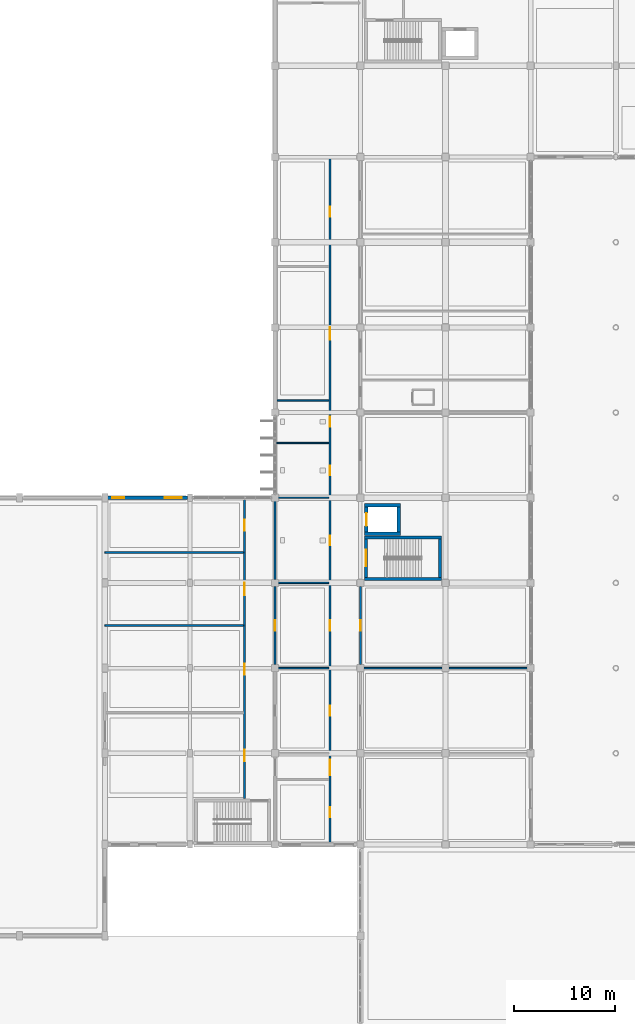
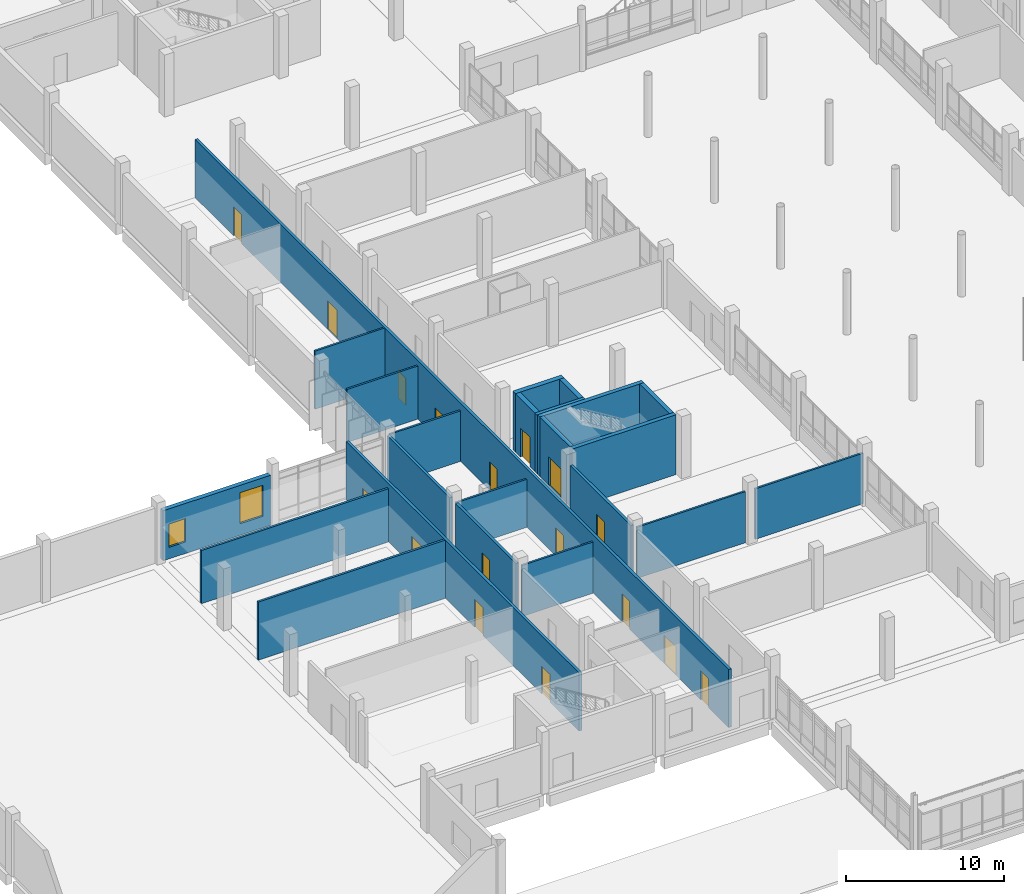
# One storey, part 75 of 95: 23 walls, 17 doors, 2 windows, 19 openings.
"""IFC4 building model written with IfcOpenShell, lengths in metres."""

from ifc_helpers import new_model, si_unit, direction, frame, frame_2d, origin, place, context, subcontext, project, spatial, rectangle, extrude, material, layer, layer_set, type_object, element, fill, save


model = new_model("IFC4")

# Units and contexts
model_context = context("Model", 3, precision=1e-05, world=origin(), true_north=direction((0.0, 1.0)))
body_context = subcontext(model_context, "Body", "Model", "MODEL_VIEW")
ifc_project = project(units=[si_unit("LENGTHUNIT", "METRE"), si_unit("AREAUNIT", "SQUARE_METRE"), si_unit("VOLUMEUNIT", "CUBIC_METRE"), si_unit("PLANEANGLEUNIT", "RADIAN"), si_unit("MASSUNIT", "GRAM", prefix="KILO")], contexts=[model_context])

# Site, building, storey
site_placement = place(None, origin())
site = spatial("IfcSite", under=ifc_project, at=site_placement, CompositionType="ELEMENT")
building_placement = place(site_placement, origin())
building = spatial("IfcBuilding", under=site, at=building_placement, Name="Vireocrest Preparatory School", CompositionType="ELEMENT")
storey_placement = place(building_placement, origin())
storey = spatial("IfcBuildingStorey", under=building, at=storey_placement, Name="L00", CompositionType="ELEMENT", Elevation=0.0)

# Walls
ifc_material_1 = material(Name="Gypsum board on cold-formed steel studs", Category="steel")
ifc_layer_1 = layer(ifc_material_1, 0.139892578125)
ifc_layer_set_1 = layer_set([ifc_layer_1], Name="Gypsum board on cold-formed steel studs")
wall_type_1 = type_object("IfcWallType", Name="Classroom Acoustic Partition Wall 140", PredefinedType="PARTITIONING", material=ifc_layer_set_1)
wall_1_placement = place(storey_placement, frame((42.10498046875, 35.39990234375, 0.0), z_axis=(0.0, 0.0, 1.0), x_axis=(1.0, 0.0, 0.0)))
element("IfcWall", 1, at=wall_1_placement, inside=storey, type_object=wall_type_1, Name="Interior Partition W03 IW_L00_0040", PredefinedType="PARTITIONING", context=body_context, shape_type="SweptSolid", body=[
    extrude(rectangle(XDim=5.18994140625, YDim=0.139892578125, at=frame_2d((2.594970703125, 0.0))), origin(), (0.0, 0.0, 1.0), 3.9599609375),
])
wall_2_placement = place(storey_placement, frame((42.10498046875, 43.800048828125, 0.0), z_axis=(0.0, 0.0, 1.0), x_axis=(1.0, 0.0, 0.0)))
element("IfcWall", 2, at=wall_2_placement, inside=storey, type_object=wall_type_1, Name="Interior Partition W03 IW_L00_0041", PredefinedType="PARTITIONING", context=body_context, shape_type="SweptSolid", body=[
    extrude(rectangle(XDim=5.18994140625, YDim=0.139892578125, at=frame_2d((2.594970703125, 0.0))), origin(), (0.0, 0.0, 1.0), 3.7099609375),
])
wall_3_placement = place(storey_placement, frame((42.10498046875, 52.199951171875, 0.0), z_axis=(0.0, 0.0, 1.0), x_axis=(1.0, 0.0, 0.0)))
element("IfcWall", 3, at=wall_3_placement, inside=storey, type_object=wall_type_1, Name="Interior Partition W03 IW_L00_0042", PredefinedType="PARTITIONING", context=body_context, shape_type="SweptSolid", body=[
    extrude(rectangle(XDim=5.18994140625, YDim=0.139892578125, at=frame_2d((2.594970703125, 0.0))), origin(), (0.0, 0.0, 1.0), 3.909912109375),
])
wall_4_placement = place(storey_placement, frame((42.10498046875, 57.60009765625, 0.0), z_axis=(0.0, 0.0, 1.0), x_axis=(1.0, 0.0, 0.0)))
element("IfcWall", 4, at=wall_4_placement, inside=storey, type_object=wall_type_1, Name="Interior Partition W03 IW_L00_0043", PredefinedType="PARTITIONING", context=body_context, shape_type="SweptSolid", body=[
    extrude(rectangle(XDim=5.18994140625, YDim=0.139892578125, at=frame_2d((2.594970703125, 0.0))), origin(), (0.0, 0.0, 1.0), 4.110107421875),
])
wall_5_placement = place(storey_placement, frame((42.195068359375, 61.800048828125, 0.0), z_axis=(0.0, 0.0, 1.0), x_axis=(1.0, 0.0, 0.0)))
element("IfcWall", 5, at=wall_5_placement, inside=storey, type_object=wall_type_1, Name="Interior Partition W03 IW_L00_0044", PredefinedType="PARTITIONING", context=body_context, shape_type="SweptSolid", body=[
    extrude(rectangle(XDim=5.099853515625, YDim=0.139892578125, at=frame_2d((2.5498046875, 0.0))), origin(), (0.0, 0.0, 1.0), 4.5),
])
wall_6_placement = place(storey_placement, frame((50.5048828125, 35.39990234375, 0.0), z_axis=(0.0, 0.0, 1.0), x_axis=(1.0, 0.0, 0.0)))
element("IfcWall", 6, at=wall_6_placement, inside=storey, type_object=wall_type_1, Name="Interior Partition W03 IW_L00_0053", PredefinedType="PARTITIONING", context=body_context, shape_type="SweptSolid", body=[
    extrude(rectangle(XDim=7.93505859375, YDim=0.139892578125, at=frame_2d((3.967529296875, 0.0))), origin(), (0.0, 0.0, 1.0), 3.9599609375),
])
wall_7_placement = place(storey_placement, frame((59.159912109375, 35.39990234375, 0.0), z_axis=(0.0, 0.0, 1.0), x_axis=(1.0, 0.0, 0.0)))
element("IfcWall", 7, at=wall_7_placement, inside=storey, type_object=wall_type_1, Name="Interior Partition W03 IW_L00_0054", PredefinedType="PARTITIONING", context=body_context, shape_type="SweptSolid", body=[
    extrude(rectangle(XDim=7.9150390625, YDim=0.139892578125, at=frame_2d((3.95751953125, 0.0))), origin(), (0.0, 0.0, 1.0), 3.909912109375),
])

# Wall, openings, doors
ifc_layer_2 = layer(ifc_material_1, 0.199951171875)
ifc_layer_set_2 = layer_set([ifc_layer_2], Name="Gypsum board on cold-formed steel studs")
wall_type_2 = type_object("IfcWallType", Name="Corridor One-Hour Fire Partition 200", PredefinedType="PARTITIONING", material=ifc_layer_set_2)
wall_8_placement = place(storey_placement, frame((39.0, 22.56005859375, 0.0), z_axis=(0.0, 0.0, 1.0), x_axis=(0.0, 1.0, 0.0)))
wall_8 = element("IfcWall", 8, at=wall_8_placement, inside=storey, type_object=wall_type_2, Name="Interior Partition W06 IW_L00_0037", PredefinedType="PARTITIONING", context=body_context, shape_type="SweptSolid", body=[
    extrude(rectangle(XDim=29.534912109375, YDim=0.199951171875, at=frame_2d((14.767578125, 0.0))), origin(), (0.0, 0.0, 1.0), 4.5),
])
opening_1_placement = place(wall_8_placement, frame((3.6650390625, 0.0, 0.0)))
opening_1 = element("IfcOpeningElement", 9, at=opening_1_placement, cuts=wall_8, Name="Opening D-L00-SP01", PredefinedType="OPENING", context=body_context, shape_type="SweptSolid", body=[
    extrude(rectangle(XDim=1.10009765625, YDim=2.14990234375, at=frame_2d((0.550048828125, 1.074951171875))), frame((0.0, 0.10986328125, 0.0), z_axis=(0.0, -1.0, 0.0), x_axis=(1.0, 0.0, 0.0)), (0.0, 0.0, 1.0), 0.219970703125),
])
opening_2_placement = place(wall_8_placement, frame((12.18994140625, 0.0, 0.0)))
opening_2 = element("IfcOpeningElement", 10, at=opening_2_placement, cuts=wall_8, Name="Opening D-L00-SP02", PredefinedType="OPENING", context=body_context, shape_type="SweptSolid", body=[
    extrude(rectangle(XDim=1.10009765625, YDim=2.14990234375, at=frame_2d((0.550048828125, 1.074951171875))), frame((0.0, 0.10986328125, 0.0), z_axis=(0.0, -1.0, 0.0), x_axis=(1.0, 0.0, 0.0)), (0.0, 0.0, 1.0), 0.219970703125),
])
opening_3_placement = place(wall_8_placement, frame((20.0400390625, 0.0, 0.0)))
opening_3 = element("IfcOpeningElement", 11, at=opening_3_placement, cuts=wall_8, Name="Opening D-L00-SP03", PredefinedType="OPENING", context=body_context, shape_type="SweptSolid", body=[
    extrude(rectangle(XDim=1.199951171875, YDim=2.199951171875, at=frame_2d((0.60009765625, 1.10009765625))), frame((0.0, 0.10986328125, 0.0), z_axis=(0.0, -1.0, 0.0), x_axis=(1.0, 0.0, 0.0)), (0.0, 0.0, 1.0), 0.219970703125),
])
opening_4_placement = place(wall_8_placement, frame((26.389892578125, 0.0, 0.0)))
opening_4 = element("IfcOpeningElement", 12, at=opening_4_placement, cuts=wall_8, Name="Opening D-L00-SP04", PredefinedType="OPENING", context=body_context, shape_type="SweptSolid", body=[
    extrude(rectangle(XDim=1.10009765625, YDim=2.14990234375, at=frame_2d((0.550048828125, 1.074951171875))), frame((0.0, 0.10986328125, 0.0), z_axis=(0.0, -1.0, 0.0), x_axis=(1.0, 0.0, 0.0)), (0.0, 0.0, 1.0), 0.219970703125),
])
ifc_material_2 = material(Name="Painted galvanized hollow steel", Category="steel")
door_type_1 = type_object("IfcDoorType", Name="Prep and Store Fire Door 1100x2150", OperationType="NOTDEFINED", PredefinedType="DOOR", material=ifc_material_2)
door_1_placement = place(opening_1_placement, origin())
door_1 = element("IfcDoor", 13, at=door_1_placement, inside=storey, type_object=door_type_1, Name="Interior Door D-L00-SP01", OperationType="SINGLE_SWING_RIGHT", OverallHeight=2.14990234375, OverallWidth=1.10009765625, PredefinedType="DOOR", context=body_context, shape_type="SweptSolid", body=[
    extrude(rectangle(XDim=1.10009765625, YDim=2.14990234375, at=frame_2d((0.550048828125, 1.074951171875))), frame((0.0, 0.02490234375, 0.0), z_axis=(0.0, -1.0, 0.0), x_axis=(1.0, 0.0, 0.0)), (0.0, 0.0, 1.0), 0.050048828125),
])
fill(opening_1, door_1)
door_2_placement = place(opening_2_placement, origin())
door_2 = element("IfcDoor", 14, at=door_2_placement, inside=storey, type_object=door_type_1, Name="Interior Door D-L00-SP02", OperationType="SINGLE_SWING_LEFT", OverallHeight=2.14990234375, OverallWidth=1.10009765625, PredefinedType="DOOR", context=body_context, shape_type="SweptSolid", body=[
    extrude(rectangle(XDim=1.10009765625, YDim=2.14990234375, at=frame_2d((0.550048828125, 1.074951171875))), frame((0.0, 0.02490234375, 0.0), z_axis=(0.0, -1.0, 0.0), x_axis=(1.0, 0.0, 0.0)), (0.0, 0.0, 1.0), 0.050048828125),
])
fill(opening_2, door_2)
door_3_placement = place(opening_4_placement, origin())
door_3 = element("IfcDoor", 15, at=door_3_placement, inside=storey, type_object=door_type_1, Name="Interior Door D-L00-SP04", OperationType="SINGLE_SWING_LEFT", OverallHeight=2.14990234375, OverallWidth=1.10009765625, PredefinedType="DOOR", context=body_context, shape_type="SweptSolid", body=[
    extrude(rectangle(XDim=1.10009765625, YDim=2.14990234375, at=frame_2d((0.550048828125, 1.074951171875))), frame((0.0, 0.02490234375, 0.0), z_axis=(0.0, -1.0, 0.0), x_axis=(1.0, 0.0, 0.0)), (0.0, 0.0, 1.0), 0.050048828125),
])
fill(opening_4, door_3)
ifc_material_3 = material(Name="Solid-core architectural birch timber", Category="wood")
door_type_2 = type_object("IfcDoorType", Name="Wide Accessible Studio Door 1200x2200", OperationType="NOTDEFINED", PredefinedType="DOOR", material=ifc_material_3)
door_4_placement = place(opening_3_placement, origin())
door_4 = element("IfcDoor", 16, at=door_4_placement, inside=storey, type_object=door_type_2, Name="Interior Door D-L00-SP03", OperationType="SINGLE_SWING_RIGHT", OverallHeight=2.199951171875, OverallWidth=1.199951171875, PredefinedType="DOOR", context=body_context, shape_type="SweptSolid", body=[
    extrude(rectangle(XDim=1.199951171875, YDim=2.199951171875, at=frame_2d((0.60009765625, 1.10009765625))), frame((0.0, 0.02490234375, 0.0), z_axis=(0.0, -1.0, 0.0), x_axis=(1.0, 0.0, 0.0)), (0.0, 0.0, 1.0), 0.050048828125),
])
fill(opening_3, door_4)

wall_9_placement = place(storey_placement, frame((47.39990234375, 18.1650390625, 0.0), z_axis=(0.0, 0.0, 1.0), x_axis=(0.0, 1.0, 0.0)))
wall_9 = element("IfcWall", 17, at=wall_9_placement, inside=storey, type_object=wall_type_2, Name="Interior Partition W06 IW_L00_0046", PredefinedType="PARTITIONING", context=body_context, shape_type="SweptSolid", body=[
    extrude(rectangle(XDim=67.625, YDim=0.199951171875, at=frame_2d((33.8125, 0.0))), origin(), (0.0, 0.0, 1.0), 4.5),
])
opening_5_placement = place(wall_9_placement, frame((2.534912109375, 0.0, 0.0)))
opening_5 = element("IfcOpeningElement", 18, at=opening_5_placement, cuts=wall_9, Name="Opening D-L00-WAW01", PredefinedType="OPENING", context=body_context, shape_type="SweptSolid", body=[
    extrude(rectangle(XDim=1.0, YDim=2.25, at=frame_2d((0.5, 1.125))), frame((0.0, 0.10986328125, 0.0), z_axis=(0.0, -1.0, 0.0), x_axis=(1.0, 0.0, 0.0)), (0.0, 0.0, 1.0), 0.219970703125),
])
opening_6_placement = place(wall_9_placement, frame((6.68505859375, 0.0, 0.0)))
opening_6 = element("IfcOpeningElement", 19, at=opening_6_placement, cuts=wall_9, Name="Opening D-L00-WAW02", PredefinedType="OPENING", context=body_context, shape_type="SweptSolid", body=[
    extrude(rectangle(XDim=1.5, YDim=2.199951171875, at=frame_2d((0.75, 1.10009765625))), frame((0.0, 0.10986328125, 0.0), z_axis=(0.0, -1.0, 0.0), x_axis=(1.0, 0.0, 0.0)), (0.0, 0.0, 1.0), 0.219970703125),
])
opening_7_placement = place(wall_9_placement, frame((12.534912109375, 0.0, 0.0)))
opening_7 = element("IfcOpeningElement", 20, at=opening_7_placement, cuts=wall_9, Name="Opening D-L00-WAW03", PredefinedType="OPENING", context=body_context, shape_type="SweptSolid", body=[
    extrude(rectangle(XDim=1.0, YDim=2.14990234375, at=frame_2d((0.5, 1.074951171875))), frame((0.0, 0.10986328125, 0.0), z_axis=(0.0, -1.0, 0.0), x_axis=(1.0, 0.0, 0.0)), (0.0, 0.0, 1.0), 0.219970703125),
])
opening_8_placement = place(wall_9_placement, frame((20.93505859375, 0.0, 0.0)))
opening_8 = element("IfcOpeningElement", 21, at=opening_8_placement, cuts=wall_9, Name="Opening D-L00-WAW04", PredefinedType="OPENING", context=body_context, shape_type="SweptSolid", body=[
    extrude(rectangle(XDim=1.0, YDim=2.14990234375, at=frame_2d((0.5, 1.074951171875))), frame((0.0, 0.10986328125, 0.0), z_axis=(0.0, -1.0, 0.0), x_axis=(1.0, 0.0, 0.0)), (0.0, 0.0, 1.0), 0.219970703125),
])
opening_9_placement = place(wall_9_placement, frame((29.360107421875, 0.0, 0.0)))
opening_9 = element("IfcOpeningElement", 22, at=opening_9_placement, cuts=wall_9, Name="Opening D-L00-WAW05", PredefinedType="OPENING", context=body_context, shape_type="SweptSolid", body=[
    extrude(rectangle(XDim=0.949951171875, YDim=2.199951171875, at=frame_2d((0.47509765625, 1.10009765625))), frame((0.0, 0.10986328125, 0.0), z_axis=(0.0, -1.0, 0.0), x_axis=(1.0, 0.0, 0.0)), (0.0, 0.0, 1.0), 0.219970703125),
])
opening_10_placement = place(wall_9_placement, frame((36.260009765625, 0.0, 0.0)))
opening_10 = element("IfcOpeningElement", 23, at=opening_10_placement, cuts=wall_9, Name="Opening D-L00-WAW06", PredefinedType="OPENING", context=body_context, shape_type="SweptSolid", body=[
    extrude(rectangle(XDim=0.949951171875, YDim=2.199951171875, at=frame_2d((0.47509765625, 1.10009765625))), frame((0.0, 0.10986328125, 0.0), z_axis=(0.0, -1.0, 0.0), x_axis=(1.0, 0.0, 0.0)), (0.0, 0.0, 1.0), 0.219970703125),
])
opening_11_placement = place(wall_9_placement, frame((41.06005859375, 0.0, 0.0)))
opening_11 = element("IfcOpeningElement", 24, at=opening_11_placement, cuts=wall_9, Name="Opening D-L00-WAW07", PredefinedType="OPENING", context=body_context, shape_type="SweptSolid", body=[
    extrude(rectangle(XDim=0.949951171875, YDim=2.10009765625, at=frame_2d((0.47509765625, 1.050048828125))), frame((0.0, 0.10986328125, 0.0), z_axis=(0.0, -1.0, 0.0), x_axis=(1.0, 0.0, 0.0)), (0.0, 0.0, 1.0), 0.219970703125),
])
opening_12_placement = place(wall_9_placement, frame((49.635009765625, 0.0, 0.0)))
opening_12 = element("IfcOpeningElement", 25, at=opening_12_placement, cuts=wall_9, Name="Opening D-L00-WAW08", PredefinedType="OPENING", context=body_context, shape_type="SweptSolid", body=[
    extrude(rectangle(XDim=1.199951171875, YDim=2.199951171875, at=frame_2d((0.60009765625, 1.10009765625))), frame((0.0, 0.10986328125, 0.0), z_axis=(0.0, -1.0, 0.0), x_axis=(1.0, 0.0, 0.0)), (0.0, 0.0, 1.0), 0.219970703125),
])
opening_13_placement = place(wall_9_placement, frame((61.735107421875, 0.0, 0.0)))
opening_13 = element("IfcOpeningElement", 26, at=opening_13_placement, cuts=wall_9, Name="Opening D-L00-WAW09", PredefinedType="OPENING", context=body_context, shape_type="SweptSolid", body=[
    extrude(rectangle(XDim=1.0, YDim=2.25, at=frame_2d((0.5, 1.125))), frame((0.0, 0.10986328125, 0.0), z_axis=(0.0, -1.0, 0.0), x_axis=(1.0, 0.0, 0.0)), (0.0, 0.0, 1.0), 0.219970703125),
])
door_type_3 = type_object("IfcDoorType", Name="Accessible WC Timber Door 950x2100", OperationType="NOTDEFINED", PredefinedType="DOOR", material=ifc_material_3)
door_5_placement = place(opening_11_placement, origin())
door_5 = element("IfcDoor", 27, at=door_5_placement, inside=storey, type_object=door_type_3, Name="Interior Door D-L00-WAW07", OperationType="SINGLE_SWING_LEFT", OverallHeight=2.10009765625, OverallWidth=0.949951171875, PredefinedType="DOOR", context=body_context, shape_type="SweptSolid", body=[
    extrude(rectangle(XDim=0.949951171875, YDim=2.10009765625, at=frame_2d((0.47509765625, 1.050048828125))), frame((0.0, 0.02490234375, 0.0), z_axis=(0.0, -1.0, 0.0), x_axis=(1.0, 0.0, 0.0)), (0.0, 0.0, 1.0), 0.050048828125),
])
fill(opening_11, door_5)
door_type_4 = type_object("IfcDoorType", Name="Classroom Acoustic Timber Door 1000x2150", OperationType="NOTDEFINED", PredefinedType="DOOR", material=ifc_material_3)
door_6_placement = place(opening_7_placement, origin())
door_6 = element("IfcDoor", 28, at=door_6_placement, inside=storey, type_object=door_type_4, Name="Interior Door D-L00-WAW03", OperationType="SINGLE_SWING_LEFT", OverallHeight=2.14990234375, OverallWidth=1.0, PredefinedType="DOOR", context=body_context, shape_type="SweptSolid", body=[
    extrude(rectangle(XDim=1.0, YDim=2.14990234375, at=frame_2d((0.5, 1.074951171875))), frame((0.0, 0.02490234375, 0.0), z_axis=(0.0, -1.0, 0.0), x_axis=(1.0, 0.0, 0.0)), (0.0, 0.0, 1.0), 0.050048828125),
])
fill(opening_7, door_6)
door_7_placement = place(opening_8_placement, origin())
door_7 = element("IfcDoor", 29, at=door_7_placement, inside=storey, type_object=door_type_4, Name="Interior Door D-L00-WAW04", OperationType="SINGLE_SWING_RIGHT", OverallHeight=2.14990234375, OverallWidth=1.0, PredefinedType="DOOR", context=body_context, shape_type="SweptSolid", body=[
    extrude(rectangle(XDim=1.0, YDim=2.14990234375, at=frame_2d((0.5, 1.074951171875))), frame((0.0, 0.02490234375, 0.0), z_axis=(0.0, -1.0, 0.0), x_axis=(1.0, 0.0, 0.0)), (0.0, 0.0, 1.0), 0.050048828125),
])
fill(opening_8, door_7)
door_type_5 = type_object("IfcDoorType", Name="Seminar Room Timber Door 1000x2250", OperationType="NOTDEFINED", PredefinedType="DOOR", material=ifc_material_3)
door_8_placement = place(opening_5_placement, origin())
door_8 = element("IfcDoor", 30, at=door_8_placement, inside=storey, type_object=door_type_5, Name="Interior Door D-L00-WAW01", OperationType="SINGLE_SWING_RIGHT", OverallHeight=2.25, OverallWidth=1.0, PredefinedType="DOOR", context=body_context, shape_type="SweptSolid", body=[
    extrude(rectangle(XDim=1.0, YDim=2.25, at=frame_2d((0.5, 1.125))), frame((0.0, 0.02490234375, 0.0), z_axis=(0.0, -1.0, 0.0), x_axis=(1.0, 0.0, 0.0)), (0.0, 0.0, 1.0), 0.050048828125),
])
fill(opening_5, door_8)
door_9_placement = place(opening_13_placement, origin())
door_9 = element("IfcDoor", 31, at=door_9_placement, inside=storey, type_object=door_type_5, Name="Interior Door D-L00-WAW09", OperationType="SINGLE_SWING_LEFT", OverallHeight=2.25, OverallWidth=1.0, PredefinedType="DOOR", context=body_context, shape_type="SweptSolid", body=[
    extrude(rectangle(XDim=1.0, YDim=2.25, at=frame_2d((0.5, 1.125))), frame((0.0, 0.02490234375, 0.0), z_axis=(0.0, -1.0, 0.0), x_axis=(1.0, 0.0, 0.0)), (0.0, 0.0, 1.0), 0.050048828125),
])
fill(opening_13, door_9)
door_type_6 = type_object("IfcDoorType", Name="Stair Enclosure Fire Door 1500x2200", OperationType="DOUBLE_DOOR_SINGLE_SWING", PredefinedType="DOOR", material=ifc_material_2)
door_10_placement = place(opening_6_placement, origin())
door_10 = element("IfcDoor", 32, at=door_10_placement, inside=storey, type_object=door_type_6, Name="Interior Door D-L00-WAW02", OperationType="DOUBLE_DOOR_SINGLE_SWING", OverallHeight=2.199951171875, OverallWidth=1.5, PredefinedType="DOOR", context=body_context, shape_type="SweptSolid", body=[
    extrude(rectangle(XDim=1.5, YDim=2.199951171875, at=frame_2d((0.75, 1.10009765625))), frame((0.0, 0.02490234375, 0.0), z_axis=(0.0, -1.0, 0.0), x_axis=(1.0, 0.0, 0.0)), (0.0, 0.0, 1.0), 0.050048828125),
])
fill(opening_6, door_10)
door_type_7 = type_object("IfcDoorType", Name="Student Washroom Door 950x2200", OperationType="NOTDEFINED", PredefinedType="DOOR", material=ifc_material_3)
door_11_placement = place(opening_9_placement, origin())
door_11 = element("IfcDoor", 33, at=door_11_placement, inside=storey, type_object=door_type_7, Name="Interior Door D-L00-WAW05", OperationType="SINGLE_SWING_LEFT", OverallHeight=2.199951171875, OverallWidth=0.949951171875, PredefinedType="DOOR", context=body_context, shape_type="SweptSolid", body=[
    extrude(rectangle(XDim=0.949951171875, YDim=2.199951171875, at=frame_2d((0.47509765625, 1.10009765625))), frame((0.0, 0.02490234375, 0.0), z_axis=(0.0, -1.0, 0.0), x_axis=(1.0, 0.0, 0.0)), (0.0, 0.0, 1.0), 0.050048828125),
])
fill(opening_9, door_11)
door_12_placement = place(opening_10_placement, origin())
door_12 = element("IfcDoor", 34, at=door_12_placement, inside=storey, type_object=door_type_7, Name="Interior Door D-L00-WAW06", OperationType="SINGLE_SWING_RIGHT", OverallHeight=2.199951171875, OverallWidth=0.949951171875, PredefinedType="DOOR", context=body_context, shape_type="SweptSolid", body=[
    extrude(rectangle(XDim=0.949951171875, YDim=2.199951171875, at=frame_2d((0.47509765625, 1.10009765625))), frame((0.0, 0.02490234375, 0.0), z_axis=(0.0, -1.0, 0.0), x_axis=(1.0, 0.0, 0.0)), (0.0, 0.0, 1.0), 0.050048828125),
])
fill(opening_10, door_12)
door_13_placement = place(opening_12_placement, origin())
door_13 = element("IfcDoor", 35, at=door_13_placement, inside=storey, type_object=door_type_2, Name="Interior Door D-L00-WAW08", OperationType="SINGLE_SWING_RIGHT", OverallHeight=2.199951171875, OverallWidth=1.199951171875, PredefinedType="DOOR", context=body_context, shape_type="SweptSolid", body=[
    extrude(rectangle(XDim=1.199951171875, YDim=2.199951171875, at=frame_2d((0.60009765625, 1.10009765625))), frame((0.0, 0.02490234375, 0.0), z_axis=(0.0, -1.0, 0.0), x_axis=(1.0, 0.0, 0.0)), (0.0, 0.0, 1.0), 0.050048828125),
])
fill(opening_12, door_13)

# Wall, opening, door
wall_10_placement = place(storey_placement, frame((42.0, 35.760009765625, 0.0), z_axis=(0.0, 0.0, 1.0), x_axis=(0.0, 1.0, 0.0)))
wall_10 = element("IfcWall", 36, at=wall_10_placement, inside=storey, type_object=wall_type_2, Name="Interior Partition W06 IW_L00_0049", PredefinedType="PARTITIONING", context=body_context, shape_type="SweptSolid", body=[
    extrude(rectangle(XDim=7.679931640625, YDim=0.199951171875, at=frame_2d((3.83984375, 0.0))), origin(), (0.0, 0.0, 1.0), 3.912109375),
])
opening_14_placement = place(wall_10_placement, frame((3.340087890625, 0.0, 0.0)))
opening_14 = element("IfcOpeningElement", 37, at=opening_14_placement, cuts=wall_10, Name="Opening D-L00-G602", PredefinedType="OPENING", context=body_context, shape_type="SweptSolid", body=[
    extrude(rectangle(XDim=1.0, YDim=2.14990234375, at=frame_2d((0.5, 1.074951171875))), frame((0.0, 0.10986328125, 0.0), z_axis=(0.0, -1.0, 0.0), x_axis=(1.0, 0.0, 0.0)), (0.0, 0.0, 1.0), 0.219970703125),
])
door_14_placement = place(opening_14_placement, origin())
door_14 = element("IfcDoor", 38, at=door_14_placement, inside=storey, type_object=door_type_4, Name="Interior Door D-L00-G602", OperationType="SINGLE_SWING_LEFT", OverallHeight=2.14990234375, OverallWidth=1.0, PredefinedType="DOOR", context=body_context, shape_type="SweptSolid", body=[
    extrude(rectangle(XDim=1.0, YDim=2.14990234375, at=frame_2d((0.5, 1.074951171875))), frame((0.0, 0.02490234375, 0.0), z_axis=(0.0, -1.0, 0.0), x_axis=(1.0, 0.0, 0.0)), (0.0, 0.0, 1.0), 0.050048828125),
])
fill(opening_14, door_14)

# Wall
wall_11_placement = place(storey_placement, frame((42.0, 44.159912109375, 0.0), z_axis=(0.0, 0.0, 1.0), x_axis=(0.0, 1.0, 0.0)))
element("IfcWall", 39, at=wall_11_placement, inside=storey, type_object=wall_type_2, Name="Interior Partition W06 IW_L00_0050", PredefinedType="PARTITIONING", context=body_context, shape_type="SweptSolid", body=[
    extrude(rectangle(XDim=7.93505859375, YDim=0.199951171875, at=frame_2d((3.967529296875, 0.0))), origin(), (0.0, 0.0, 1.0), 3.912109375),
])

# Wall, opening, door
wall_12_placement = place(storey_placement, frame((50.39990234375, 35.760009765625, 0.0), z_axis=(0.0, 0.0, 1.0), x_axis=(0.0, 1.0, 0.0)))
wall_12 = element("IfcWall", 40, at=wall_12_placement, inside=storey, type_object=wall_type_2, Name="Interior Partition W06 IW_L00_0057", PredefinedType="PARTITIONING", context=body_context, shape_type="SweptSolid", body=[
    extrude(rectangle(XDim=7.679931640625, YDim=0.199951171875, at=frame_2d((3.83984375, 0.0))), origin(), (0.0, 0.0, 1.0), 3.909912109375),
])
opening_15_placement = place(wall_12_placement, frame((3.340087890625, 0.0, 0.0)))
opening_15 = element("IfcOpeningElement", 41, at=opening_15_placement, cuts=wall_12, Name="Opening D-L00-WAE03", PredefinedType="OPENING", context=body_context, shape_type="SweptSolid", body=[
    extrude(rectangle(XDim=1.0, YDim=2.14990234375, at=frame_2d((0.5, 1.074951171875))), frame((0.0, 0.10986328125, 0.0), z_axis=(0.0, -1.0, 0.0), x_axis=(1.0, 0.0, 0.0)), (0.0, 0.0, 1.0), 0.219970703125),
])
door_15_placement = place(opening_15_placement, origin())
door_15 = element("IfcDoor", 42, at=door_15_placement, inside=storey, type_object=door_type_4, Name="Interior Door D-L00-WAE03", OperationType="SINGLE_SWING_LEFT", OverallHeight=2.14990234375, OverallWidth=1.0, PredefinedType="DOOR", context=body_context, shape_type="SweptSolid", body=[
    extrude(rectangle(XDim=1.0, YDim=2.14990234375, at=frame_2d((0.5, 1.074951171875))), frame((0.0, 0.02490234375, 0.0), z_axis=(0.0, -1.0, 0.0), x_axis=(1.0, 0.0, 0.0)), (0.0, 0.0, 1.0), 0.050048828125),
])
fill(opening_15, door_15)

# Wall, openings, windows
ifc_material_4 = material(Name="Precast white concrete 40 MPa", Category="concrete")
ifc_layer_3 = layer(ifc_material_4, 0.320068359375)
ifc_layer_set_3 = layer_set([ifc_layer_3], Name="Precast white concrete 40 MPa")
wall_type_3 = type_object("IfcWallType", Name="High-Tech Insulated Rainscreen External Wall 320", PredefinedType="SOLIDWALL", material=ifc_layer_set_3)
wall_13_placement = place(storey_placement, frame((25.47509765625, 52.199951171875, 0.0), z_axis=(0.0, 0.0, 1.0), x_axis=(1.0, 0.0, 0.0)))
wall_13 = element("IfcWall", 43, at=wall_13_placement, inside=storey, type_object=wall_type_3, Name="External Wall W12 EW_L00_0089", PredefinedType="SOLIDWALL", context=body_context, shape_type="SweptSolid", body=[
    extrude(rectangle(XDim=7.89990234375, YDim=0.320068359375, at=frame_2d((3.949951171875, 0.0))), origin(), (0.0, 0.0, 1.0), 3.8701171875),
])
opening_16_placement = place(wall_13_placement, frame((0.449951171875, 0.0, 0.89990234375)))
opening_16 = element("IfcOpeningElement", 44, at=opening_16_placement, cuts=wall_13, Name="Opening WN02", PredefinedType="OPENING", context=body_context, shape_type="SweptSolid", body=[
    extrude(rectangle(XDim=1.199951171875, YDim=1.800048828125, at=frame_2d((0.60009765625, 0.89990234375))), frame((0.0, 0.169921875, 0.0), z_axis=(0.0, -1.0, 0.0), x_axis=(1.0, 0.0, 0.0)), (0.0, 0.0, 1.0), 0.340087890625),
])
opening_17_placement = place(wall_13_placement, frame((5.6201171875, 0.0, 0.89990234375)))
opening_17 = element("IfcOpeningElement", 45, at=opening_17_placement, cuts=wall_13, Name="Opening WN07", PredefinedType="OPENING", context=body_context, shape_type="SweptSolid", body=[
    extrude(rectangle(XDim=1.679931640625, YDim=2.39990234375, at=frame_2d((0.83984375, 1.199951171875))), frame((0.0, 0.169921875, 0.0), z_axis=(0.0, -1.0, 0.0), x_axis=(1.0, 0.0, 0.0)), (0.0, 0.0, 1.0), 0.340087890625),
])
ifc_material_5 = material(Name="Thermally broken aluminium EN AW-6063-T6", Category="aluminium")
window_type_1 = type_object("IfcWindowType", Name="Counseling Window 1200x1800", PartitioningType="SINGLE_PANEL", PredefinedType="WINDOW", material=ifc_material_5)
window_1_placement = place(opening_16_placement, origin())
window_1 = element("IfcWindow", 46, at=window_1_placement, inside=storey, type_object=window_type_1, Name="Window W-L00-022 (WN02)", OverallHeight=1.800048828125, OverallWidth=1.199951171875, PartitioningType="SINGLE_PANEL", PredefinedType="WINDOW", context=body_context, shape_type="SweptSolid", body=[
    extrude(rectangle(XDim=1.199951171875, YDim=1.800048828125, at=frame_2d((0.60009765625, 0.89990234375))), frame((0.0, 0.030029296875, 0.0), z_axis=(0.0, -1.0, 0.0), x_axis=(1.0, 0.0, 0.0)), (0.0, 0.0, 1.0), 0.06005859375),
])
fill(opening_16, window_1)
window_type_2 = type_object("IfcWindowType", Name="Module Lab Window 1680x2400", PartitioningType="SINGLE_PANEL", PredefinedType="WINDOW", material=ifc_material_5)
window_2_placement = place(opening_17_placement, origin())
window_2 = element("IfcWindow", 47, at=window_2_placement, inside=storey, type_object=window_type_2, Name="Window W-L00-023 (WN07)", OverallHeight=2.39990234375, OverallWidth=1.679931640625, PartitioningType="SINGLE_PANEL", PredefinedType="WINDOW", context=body_context, shape_type="SweptSolid", body=[
    extrude(rectangle(XDim=1.679931640625, YDim=2.39990234375, at=frame_2d((0.83984375, 1.199951171875))), frame((0.0, 0.030029296875, 0.0), z_axis=(0.0, -1.0, 0.0), x_axis=(1.0, 0.0, 0.0)), (0.0, 0.0, 1.0), 0.06005859375),
])
fill(opening_17, window_2)

# Walls
ifc_layer_4 = layer(ifc_material_1, 0.159912109375)
ifc_layer_set_4 = layer_set([ifc_layer_4], Name="Gypsum board on cold-formed steel studs")
wall_type_4 = type_object("IfcWallType", Name="Laboratory Wet-Service Partition Wall 160", PredefinedType="PARTITIONING", material=ifc_layer_set_4)
wall_14_placement = place(storey_placement, frame((25.2099609375, 39.60009765625, 0.0), z_axis=(0.0, 0.0, 1.0), x_axis=(1.0, 0.0, 0.0)))
element("IfcWall", 48, at=wall_14_placement, inside=storey, type_object=wall_type_4, Name="Interior Partition W04 IW_L00_0035", PredefinedType="PARTITIONING", context=body_context, shape_type="SweptSolid", body=[
    extrude(rectangle(XDim=13.68505859375, YDim=0.159912109375, at=frame_2d((6.842529296875, 0.0))), origin(), (0.0, 0.0, 1.0), 4.5),
])
wall_15_placement = place(storey_placement, frame((25.2099609375, 46.800048828125, 0.0), z_axis=(0.0, 0.0, 1.0), x_axis=(1.0, 0.0, 0.0)))
element("IfcWall", 49, at=wall_15_placement, inside=storey, type_object=wall_type_4, Name="Interior Partition W04 IW_L00_0036", PredefinedType="PARTITIONING", context=body_context, shape_type="SweptSolid", body=[
    extrude(rectangle(XDim=13.68505859375, YDim=0.159912109375, at=frame_2d((6.842529296875, 0.0))), origin(), (0.0, 0.0, 1.0), 4.114013671875),
])
ifc_material_6 = material(Name="Concrete 45 MPa", Category="concrete")
ifc_layer_5 = layer(ifc_material_6, 0.35009765625)
ifc_layer_set_5 = layer_set([ifc_layer_5], Name="Concrete 45 MPa")
wall_type_5 = type_object("IfcWallType", Name="Two-Hour RC Lift Core Shear Wall 350", PredefinedType="SHEAR", material=ifc_layer_set_5)
for number, where, z_axis, x_axis, name in (
    (50, (50.824951171875, 48.64990234375, 0.0), (0.0, 0.0, 1.0), (1.0, 0.0, 0.0), "Lift Core Shear Wall LF1 L00-S"),
    (51, (50.824951171875, 51.449951171875, 0.0), (0.0, 0.0, 1.0), (1.0, 0.0, 0.0), "Lift Core Shear Wall LF1 L00-N"),
):
    element("IfcWall", number, at=place(storey_placement, frame(where, z_axis=z_axis, x_axis=x_axis)), inside=storey, type_object=wall_type_5, Name=name, PredefinedType="SHEAR", context=body_context, shape_type="SweptSolid", body=[
        extrude(rectangle(XDim=3.550048828125, YDim=0.35009765625, at=frame_2d((1.77490234375, 0.0))), origin(), (0.0, 0.0, 1.0), 4.52001953125),
    ])

# Wall, opening, door
wall_16_placement = place(storey_placement, frame((51.0, 48.824951171875, 0.0), z_axis=(0.0, 0.0, 1.0), x_axis=(0.0, 1.0, 0.0)))
wall_16 = element("IfcWall", 52, at=wall_16_placement, inside=storey, type_object=wall_type_5, Name="Lift Core Shear Wall LF1 L00-W", PredefinedType="SHEAR", context=body_context, shape_type="SweptSolid", body=[
    extrude(rectangle(XDim=2.449951171875, YDim=0.35009765625, at=frame_2d((1.22509765625, 0.0))), origin(), (0.0, 0.0, 1.0), 4.52001953125),
])
opening_18_placement = place(wall_16_placement, frame((0.60009765625, 0.0, 0.0)))
opening_18 = element("IfcOpeningElement", 53, at=opening_18_placement, cuts=wall_16, Name="Opening LD-LF1-L00", PredefinedType="OPENING", context=body_context, shape_type="SweptSolid", body=[
    extrude(rectangle(XDim=1.25, YDim=2.25, at=frame_2d((0.625, 1.125))), frame((0.0, 0.18505859375, 0.0), z_axis=(0.0, -1.0, 0.0), x_axis=(1.0, 0.0, 0.0)), (0.0, 0.0, 1.0), 0.3701171875),
])
door_type_8 = type_object("IfcDoorType", Name="Stretcher Lift Landing Sliding Door 1250x2250", OperationType="DOUBLE_DOOR_SLIDING", PredefinedType="DOOR", material=ifc_material_2)
door_16_placement = place(opening_18_placement, origin())
door_16 = element("IfcDoor", 54, at=door_16_placement, inside=storey, type_object=door_type_8, Name="Lift Landing Door LD-LF1-L00", OperationType="DOUBLE_DOOR_SLIDING", OverallHeight=2.25, OverallWidth=1.25, PredefinedType="DOOR", context=body_context, shape_type="SweptSolid", body=[
    extrude(rectangle(XDim=1.25, YDim=2.25, at=frame_2d((0.625, 1.125))), frame((0.0, 0.02490234375, 0.0), z_axis=(0.0, -1.0, 0.0), x_axis=(1.0, 0.0, 0.0)), (0.0, 0.0, 1.0), 0.050048828125),
])
fill(opening_18, door_16)

# Walls
wall_17_placement = place(storey_placement, frame((54.199951171875, 48.824951171875, 0.0), z_axis=(0.0, 0.0, 1.0), x_axis=(0.0, 1.0, 0.0)))
element("IfcWall", 55, at=wall_17_placement, inside=storey, type_object=wall_type_5, Name="Lift Core Shear Wall LF1 L00-E", PredefinedType="SHEAR", context=body_context, shape_type="SweptSolid", body=[
    extrude(rectangle(XDim=2.449951171875, YDim=0.35009765625, at=frame_2d((1.22509765625, 0.0))), origin(), (0.0, 0.0, 1.0), 4.52001953125),
])
ifc_layer_6 = layer(ifc_material_6, 0.300048828125)
ifc_layer_set_6 = layer_set([ifc_layer_6], Name="Concrete 45 MPa")
wall_type_6 = type_object("IfcWallType", Name="Two-Hour RC Stair Shaft Shear Wall 300", PredefinedType="SHEAR", material=ifc_layer_set_6)
for number, where, z_axis, x_axis, name in (
    (56, (50.800048828125, 44.199951171875, 0.0), (0.0, 0.0, 1.0), (1.0, 0.0, 0.0), "Stair Core Shear Wall ST1 L00-S"),
    (57, (50.800048828125, 48.300048828125, 0.0), (0.0, 0.0, 1.0), (1.0, 0.0, 0.0), "Stair Core Shear Wall ST1 L00-N"),
):
    element("IfcWall", number, at=place(storey_placement, frame(where, z_axis=z_axis, x_axis=x_axis)), inside=storey, type_object=wall_type_6, Name=name, PredefinedType="SHEAR", context=body_context, shape_type="SweptSolid", body=[
        extrude(rectangle(XDim=7.599853515625, YDim=0.300048828125, at=frame_2d((3.7998046875, 0.0))), origin(), (0.0, 0.0, 1.0), 4.625),
    ])

# Wall, opening, door
wall_18_placement = place(storey_placement, frame((50.949951171875, 44.35009765625, 0.0), z_axis=(0.0, 0.0, 1.0), x_axis=(0.0, 1.0, 0.0)))
wall_18 = element("IfcWall", 58, at=wall_18_placement, inside=storey, type_object=wall_type_6, Name="Stair Core Shear Wall ST1 L00-W", PredefinedType="SHEAR", context=body_context, shape_type="SweptSolid", body=[
    extrude(rectangle(XDim=3.7998046875, YDim=0.300048828125, at=frame_2d((1.89990234375, 0.0))), origin(), (0.0, 0.0, 1.0), 4.625),
])
opening_19_placement = place(wall_18_placement, frame((1.10009765625, 0.0, 0.0)))
opening_19 = element("IfcOpeningElement", 59, at=opening_19_placement, cuts=wall_18, Name="Opening SD-ST1-L00", PredefinedType="OPENING", context=body_context, shape_type="SweptSolid", body=[
    extrude(rectangle(XDim=1.60009765625, YDim=2.199951171875, at=frame_2d((0.800048828125, 1.10009765625))), frame((0.0, 0.159912109375, 0.0), z_axis=(0.0, -1.0, 0.0), x_axis=(1.0, 0.0, 0.0)), (0.0, 0.0, 1.0), 0.320068359375),
])
door_type_9 = type_object("IfcDoorType", Name="Stair Core Lobby Fire Door 1600x2200", OperationType="DOUBLE_DOOR_SINGLE_SWING", PredefinedType="DOOR", material=ifc_material_2)
door_17_placement = place(opening_19_placement, origin())
door_17 = element("IfcDoor", 60, at=door_17_placement, inside=storey, type_object=door_type_9, Name="Stair Enclosure Fire Door SD-ST1-L00", OperationType="DOUBLE_DOOR_SINGLE_SWING", OverallHeight=2.199951171875, OverallWidth=1.60009765625, PredefinedType="DOOR", context=body_context, shape_type="SweptSolid", body=[
    extrude(rectangle(XDim=1.60009765625, YDim=2.199951171875, at=frame_2d((0.800048828125, 1.10009765625))), frame((0.0, 0.02490234375, 0.0), z_axis=(0.0, -1.0, 0.0), x_axis=(1.0, 0.0, 0.0)), (0.0, 0.0, 1.0), 0.050048828125),
])
fill(opening_19, door_17)

# Wall
wall_19_placement = place(storey_placement, frame((58.25, 44.35009765625, 0.0), z_axis=(0.0, 0.0, 1.0), x_axis=(0.0, 1.0, 0.0)))
element("IfcWall", 61, at=wall_19_placement, inside=storey, type_object=wall_type_6, Name="Stair Core Shear Wall ST1 L00-E", PredefinedType="SHEAR", context=body_context, shape_type="SweptSolid", body=[
    extrude(rectangle(XDim=3.7998046875, YDim=0.300048828125, at=frame_2d((1.89990234375, 0.0))), origin(), (0.0, 0.0, 1.0), 4.625),
])

save(model, "model.ifc")
